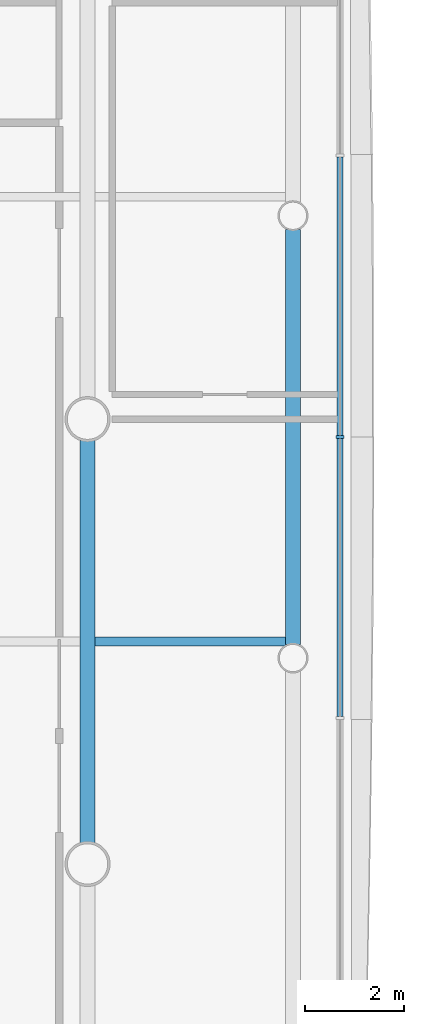
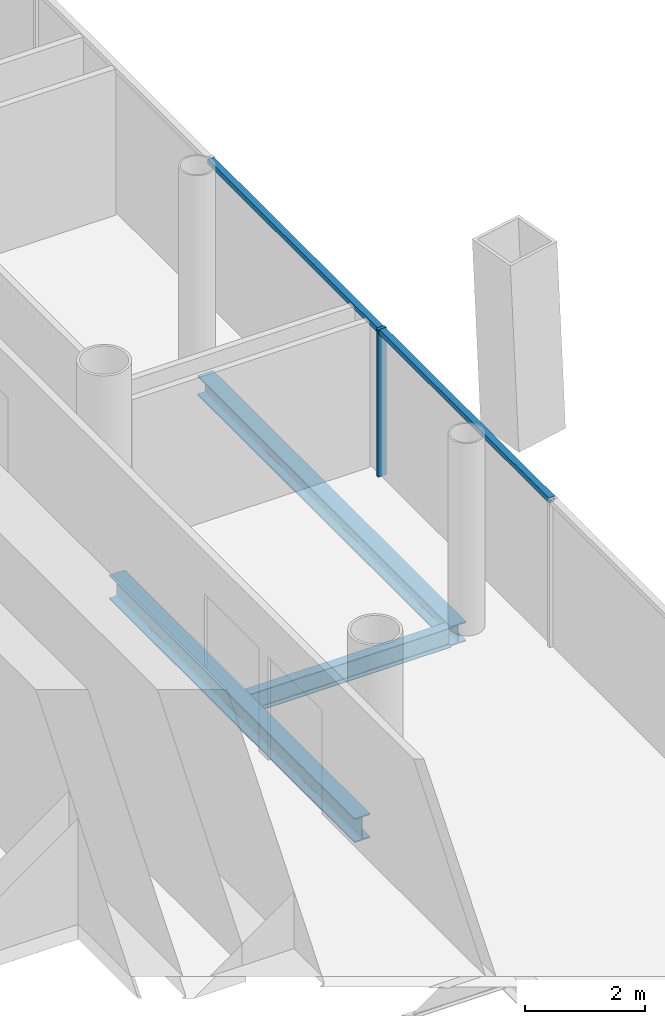
# One storey, part 6 of 20: 3 beams, 3 members, 1 element without a shape of its own.
"""IFC4 building model written with IfcOpenShell, lengths in metres."""

from ifc_helpers import new_model, si_unit, direction, frame, origin, origin_2d, place, context, subcontext, project, spatial, rectangle, i_section, extrude, material, material_profile, profile_set, type_object, element, aggregate, save


model = new_model("IFC4")

# Units and contexts
model_context = context("Model", 3, precision=1e-05, world=origin(), true_north=direction((0.0, 1.0)))
body_context = subcontext(model_context, "Body", "Model", "MODEL_VIEW")
ifc_project = project(units=[si_unit("LENGTHUNIT", "METRE"), si_unit("AREAUNIT", "SQUARE_METRE"), si_unit("VOLUMEUNIT", "CUBIC_METRE"), si_unit("PLANEANGLEUNIT", "RADIAN"), si_unit("MASSUNIT", "GRAM", prefix="KILO")], contexts=[model_context])

# Site, building, storey
site_placement = place(None, origin())
site = spatial("IfcSite", under=ifc_project, at=site_placement, CompositionType="ELEMENT")
building_placement = place(site_placement, origin())
building = spatial("IfcBuilding", under=site, at=building_placement, Name="Tskaro Facet Tower", CompositionType="ELEMENT")
storey_placement = place(building_placement, frame((0.0, 0.0, 53.699951171875)))
storey = spatial("IfcBuildingStorey", under=building, at=storey_placement, Name="L12", CompositionType="ELEMENT", Elevation=53.699951171875)

# Curtain wall, members
ifc_material_1 = material(Name="Bronze anodised aluminium 6063-T6", Category="aluminium")
curtain_wall_type = type_object("IfcCurtainWallType", Name="Bronze office curtain wall (FW1)", PredefinedType="NOTDEFINED", material=ifc_material_1)
curtain_wall_placement = place(storey_placement, origin())
curtain_wall = element("IfcCurtainWall", 1, at=curtain_wall_placement, inside=storey, type_object=curtain_wall_type, Name="FW1 east facet L12", PredefinedType="NOTDEFINED")
ifc_material_profile_1 = material_profile(ifc_material_1, rectangle(XDim=0.06005859375, YDim=0.159912109375, at=origin_2d()), Name="Mullion 60x160")
ifc_profile_set_1 = profile_set([ifc_material_profile_1], Name="Bronze anodised aluminium 6063-T6")
member_type_1 = type_object("IfcMemberType", Name="FW1 bronze mullion 60x160", PredefinedType="MULLION", material=ifc_profile_set_1)
member_1_placement = place(storey_placement, frame((23.10693359375, -0.3583984375, 0.0), z_axis=(0.0, 0.0, 1.0), x_axis=(0.0, 1.0, 0.0)))
member_1 = element("IfcMember", 2, at=member_1_placement, type_object=member_type_1, Name="FW1 east mullion 4", PredefinedType="MULLION", context=body_context, shape_type="SweptSolid", body=[
    extrude(rectangle(XDim=0.06005859375, YDim=0.159912109375, at=origin_2d()), origin(), (0.0, 0.0, 1.0), 2.989990234375),
])
ifc_material_profile_2 = material_profile(ifc_material_1, rectangle(XDim=0.1201171875, YDim=0.10009765625, at=origin_2d()), Name="Transom 120x100")
ifc_profile_set_2 = profile_set([ifc_material_profile_2], Name="Bronze anodised aluminium 6063-T6")
member_type_2 = type_object("IfcMemberType", Name="FW1 bronze transom 120x100", PredefinedType="USERDEFINED", material=ifc_profile_set_2)
member_2_placement = place(storey_placement, frame((23.10693359375, -6.019287109375, 2.93994140625), z_axis=(0.0, 1.0, 0.0), x_axis=(-1.0, 0.0, 0.0)))
member_2 = element("IfcMember", 3, at=member_2_placement, type_object=member_type_2, Name="FW1 east transom 4.1", ObjectType="TRANSOM", PredefinedType="USERDEFINED", context=body_context, shape_type="SweptSolid", body=[
    extrude(rectangle(XDim=0.1201171875, YDim=0.10009765625, at=origin_2d()), origin(), (0.0, 0.0, 1.0), 5.630859375),
])
member_3_placement = place(storey_placement, frame((23.10693359375, -0.32861328125, 2.93994140625), z_axis=(0.0, 1.0, 0.0), x_axis=(-1.0, 0.0, 0.0)))
member_3 = element("IfcMember", 4, at=member_3_placement, type_object=member_type_2, Name="FW1 east transom 5.1", ObjectType="TRANSOM", PredefinedType="USERDEFINED", context=body_context, shape_type="SweptSolid", body=[
    extrude(rectangle(XDim=0.1201171875, YDim=0.10009765625, at=origin_2d()), origin(), (0.0, 0.0, 1.0), 5.631103515625),
])
aggregate(curtain_wall, [member_1, member_2, member_3])

# Beams
ifc_material_2 = material(Name="Steel S355J2", Category="steel")
ifc_material_profile_3 = material_profile(ifc_material_2, i_section(OverallWidth=0.300048828125, OverallDepth=0.39990234375, WebThickness=0.013427734375, FlangeThickness=0.02392578125, FilletRadius=0.027099609375, at=origin_2d()), Name="HE 400 B")
ifc_profile_set_3 = profile_set([ifc_material_profile_3], Name="Steel S355J2")
beam_type_1 = type_object("IfcBeamType", Name="HE 400 B ring beam", PredefinedType="BEAM", material=ifc_profile_set_3)
beam_1_placement = place(storey_placement, frame((22.156982421875, -4.55810546875, -0.33984375), z_axis=(0.0, 1.0, 0.0), x_axis=(-1.0, 0.0, 0.0)))
element("IfcBeam", 5, at=beam_1_placement, inside=storey, type_object=beam_type_1, Name="HE 400 B EB10-1", PredefinedType="BEAM", context=body_context, shape_type="SweptSolid", body=[
    extrude(i_section(OverallWidth=0.300048828125, OverallDepth=0.39990234375, WebThickness=0.013427734375, FlangeThickness=0.02392578125, FilletRadius=0.027099609375, at=origin_2d()), origin(), (0.0, 0.0, 1.0), 8.399169921875),
])
ifc_material_profile_4 = material_profile(ifc_material_2, i_section(OverallWidth=0.300048828125, OverallDepth=0.489990234375, WebThickness=0.011962890625, FlangeThickness=0.02294921875, FilletRadius=0.027099609375, at=origin_2d()), Name="HE 500 A")
ifc_profile_set_4 = profile_set([ifc_material_profile_4], Name="Steel S355J2")
beam_type_2 = type_object("IfcBeamType", Name="HE 500 A girder", PredefinedType="BEAM", material=ifc_profile_set_4)
beam_2_placement = place(storey_placement, frame((18.0, -8.57275390625, -0.385009765625), z_axis=(0.0, 1.0, 0.0), x_axis=(-1.0, 0.0, 0.0)))
element("IfcBeam", 6, at=beam_2_placement, inside=storey, type_object=beam_type_2, Name="HE 500 A GB6-3-1", PredefinedType="BEAM", context=body_context, shape_type="SweptSolid", body=[
    extrude(i_section(OverallWidth=0.300048828125, OverallDepth=0.489990234375, WebThickness=0.011962890625, FlangeThickness=0.02294921875, FilletRadius=0.027099609375, at=origin_2d()), origin(), (0.0, 0.0, 1.0), 8.1455078125),
])
ifc_material_profile_5 = material_profile(ifc_material_2, i_section(OverallWidth=0.179931640625, OverallDepth=0.39990234375, WebThickness=0.008544921875, FlangeThickness=0.013427734375, FilletRadius=0.02099609375, at=origin_2d()), Name="IPE 400")
ifc_profile_set_5 = profile_set([ifc_material_profile_5], Name="Steel S355J2")
beam_type_3 = type_object("IfcBeamType", Name="IPE 400 secondary beam", PredefinedType="BEAM", material=ifc_profile_set_5)
beam_3_placement = place(storey_placement, frame((18.14990234375, -4.5, -0.33984375), z_axis=(1.0, 0.0, 0.0), x_axis=(0.0, 1.0, 0.0)))
element("IfcBeam", 7, at=beam_3_placement, inside=storey, type_object=beam_type_3, Name="IPE 400 SB3a-4-1", PredefinedType="BEAM", context=body_context, shape_type="SweptSolid", body=[
    extrude(i_section(OverallWidth=0.179931640625, OverallDepth=0.39990234375, WebThickness=0.008544921875, FlangeThickness=0.013427734375, FilletRadius=0.02099609375, at=origin_2d()), origin(), (0.0, 0.0, 1.0), 3.857177734375),
])

save(model, "model.ifc")
